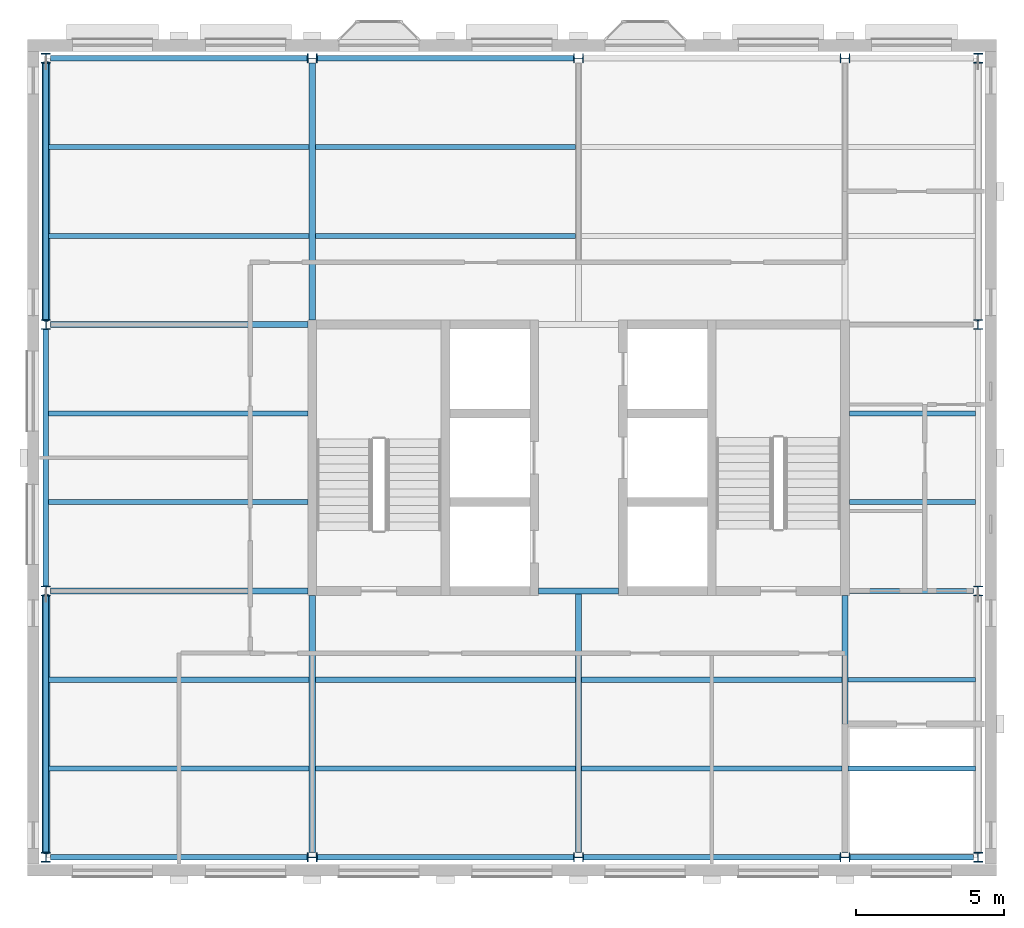
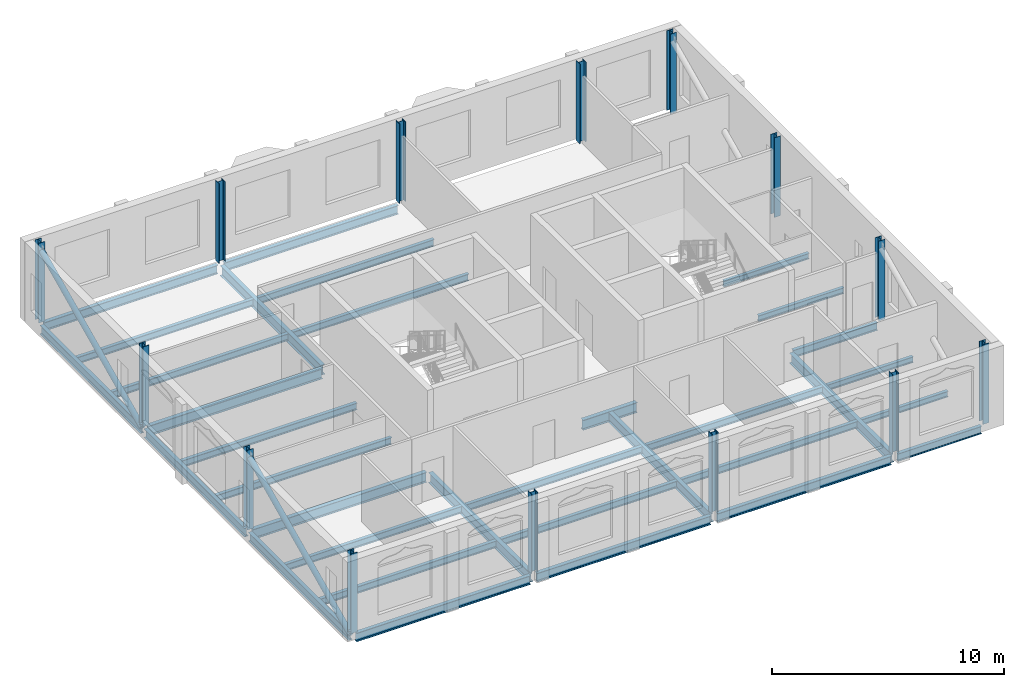
# One storey, part 1 of 9: 33 beams, 14 columns, 2 members.
"""IFC4 building model written with IfcOpenShell, lengths in metres."""

from ifc_helpers import new_model, si_unit, direction, frame, origin, origin_2d, place, context, subcontext, project, spatial, hollow_circle, i_section, extrude, material, material_profile, profile_set, type_object, element, save


model = new_model("IFC4")

# Units and contexts
model_context = context("Model", 3, precision=1e-05, world=origin(), true_north=direction((0.0, 1.0)))
body_context = subcontext(model_context, "Body", "Model", "MODEL_VIEW")
ifc_project = project(units=[si_unit("LENGTHUNIT", "METRE"), si_unit("AREAUNIT", "SQUARE_METRE"), si_unit("VOLUMEUNIT", "CUBIC_METRE"), si_unit("PLANEANGLEUNIT", "RADIAN"), si_unit("MASSUNIT", "GRAM", prefix="KILO")], contexts=[model_context])

# Site, building, storey
site_placement = place(None, origin())
site = spatial("IfcSite", under=ifc_project, at=site_placement, CompositionType="ELEMENT")
building_placement = place(site_placement, origin())
building = spatial("IfcBuilding", under=site, at=building_placement, Name="Hortulan Conservatory and Botanical Research Centre", CompositionType="ELEMENT")
storey_placement = place(building_placement, frame((0.0, 0.0, 40.199951171875)))
storey = spatial("IfcBuildingStorey", under=building, at=storey_placement, Name="L09", CompositionType="ELEMENT", Elevation=40.199951171875)

# Columns
ifc_material_1 = material(Name="Steel Grade 300PLUS (AS/NZS 3679.1, 280 MPa minimum yield)", Category="steel")
ifc_material_profile_1 = material_profile(ifc_material_1, i_section(OverallWidth=0.31103515625, OverallDepth=0.326904296875, WebThickness=0.015625, FlangeThickness=0.02490234375, FilletRadius=0.0166015625, at=origin_2d()), Name="310UC158")
ifc_profile_set_1 = profile_set([ifc_material_profile_1], Name="Steel Grade 300PLUS (AS/NZS 3679.1, 280 MPa minimum yield)")
column_type = type_object("IfcColumnType", Name="Tower Column 310UC158", PredefinedType="COLUMN", material=ifc_profile_set_1)
for number, where, z_axis, x_axis, name in (
    (1, (0.0, 0.0, 0.0), (0.0, 0.0, 1.0), (1.0, 0.0, 0.0), "310UC158 column"),
    (2, (0.0, 9.0, 0.0), (0.0, 0.0, 1.0), (1.0, 0.0, 0.0), "310UC158 column"),
    (3, (0.0, 18.0, 0.0), (0.0, 0.0, 1.0), (1.0, 0.0, 0.0), "310UC158 column"),
    (4, (0.0, 27.0, 0.0), (0.0, 0.0, 1.0), (1.0, 0.0, 0.0), "310UC158 column"),
    (5, (9.0, 0.0, 0.0), (0.0, 0.0, 1.0), (0.0, 1.0, 0.0), "310UC158 column"),
    (6, (9.0, 27.0, 0.0), (0.0, 0.0, 1.0), (0.0, 1.0, 0.0), "310UC158 column"),
    (7, (18.0, 0.0, 0.0), (0.0, 0.0, 1.0), (0.0, 1.0, 0.0), "310UC158 column"),
    (8, (18.0, 27.0, 0.0), (0.0, 0.0, 1.0), (0.0, 1.0, 0.0), "310UC158 column"),
    (9, (27.0, 0.0, 0.0), (0.0, 0.0, 1.0), (0.0, 1.0, 0.0), "310UC158 column"),
    (10, (27.0, 27.0, 0.0), (0.0, 0.0, 1.0), (0.0, 1.0, 0.0), "310UC158 column"),
    (11, (31.5, 0.0, 0.0), (0.0, 0.0, 1.0), (1.0, 0.0, 0.0), "310UC158 column"),
    (12, (31.5, 9.0, 0.0), (0.0, 0.0, 1.0), (1.0, 0.0, 0.0), "310UC158 column"),
    (13, (31.5, 18.0, 0.0), (0.0, 0.0, 1.0), (1.0, 0.0, 0.0), "310UC158 column"),
    (14, (31.5, 27.0, 0.0), (0.0, 0.0, 1.0), (1.0, 0.0, 0.0), "310UC158 column"),
):
    element("IfcColumn", number, at=place(storey_placement, frame(where, z_axis=z_axis, x_axis=x_axis)), inside=storey, type_object=column_type, Name=name, PredefinedType="COLUMN", context=body_context, shape_type="SweptSolid", body=[
        extrude(i_section(OverallWidth=0.31103515625, OverallDepth=0.326904296875, WebThickness=0.015625, FlangeThickness=0.02490234375, FilletRadius=0.0166015625, at=origin_2d()), origin(), (0.0, 0.0, 1.0), 4.199951171875),
    ])

# Members
ifc_material_2 = material(Name="Steel Grade C350L0 (350 MPa, AS/NZS 1163)", Category="steel")
ifc_material_profile_2 = material_profile(ifc_material_2, hollow_circle(Radius=0.136474609375, WallThickness=0.00927734375, at=origin_2d()), Name="273.1x9.3CHS")
ifc_profile_set_2 = profile_set([ifc_material_profile_2], Name="Steel Grade C350L0 (350 MPa, AS/NZS 1163)")
member_type = type_object("IfcMemberType", Name="Brace 273.1x9.3CHS", PredefinedType="BRACE", material=ifc_profile_set_2)
for number, where, z_axis, x_axis, name in (
    (15, (0.0, 0.16357421875, -0.28369140625), (0.0, 0.906181836611, 0.422888258286), (-1.0, 0.0, 0.0), "273.1x9.3CHS brace"),
    (16, (0.0, 18.16357421875, -0.28369140625), (0.0, 0.906181836611, 0.422888258286), (-1.0, 0.0, 0.0), "273.1x9.3CHS brace"),
):
    element("IfcMember", number, at=place(storey_placement, frame(where, z_axis=z_axis, x_axis=x_axis)), inside=storey, type_object=member_type, Name=name, PredefinedType="BRACE", context=body_context, shape_type="SweptSolid", body=[
        extrude(hollow_circle(Radius=0.136474609375, WallThickness=0.00927734375, at=origin_2d()), origin(), (0.0, 0.0, 1.0), 9.57080078125),
    ])

# Beams
ifc_material_profile_3 = material_profile(ifc_material_1, i_section(OverallWidth=0.177978515625, OverallDepth=0.403076171875, WebThickness=0.007568359375, FlangeThickness=0.010986328125, FilletRadius=0.011474609375, at=origin_2d()), Name="410UB53.7")
ifc_profile_set_3 = profile_set([ifc_material_profile_3], Name="Steel Grade 300PLUS (AS/NZS 3679.1, 280 MPa minimum yield)")
beam_type_1 = type_object("IfcBeamType", Name="Primary Beam 410UB53.7", PredefinedType="BEAM", material=ifc_profile_set_3)
beam_1_placement = place(storey_placement, frame((27.16357421875, 0.0, -0.33154296875), z_axis=(1.0, 0.0, 0.0), x_axis=(0.0, 1.0, 0.0)))
element("IfcBeam", 17, at=beam_1_placement, inside=storey, type_object=beam_type_1, Name="410UB53.7 girder", PredefinedType="BEAM", context=body_context, shape_type="SweptSolid", body=[
    extrude(i_section(OverallWidth=0.177978515625, OverallDepth=0.403076171875, WebThickness=0.007568359375, FlangeThickness=0.010986328125, FilletRadius=0.011474609375, at=origin_2d()), origin(), (0.0, 0.0, 1.0), 4.180908203125),
])
beam_2_placement = place(storey_placement, frame((27.14990234375, 9.0, -0.33154296875), z_axis=(1.0, 0.0, 0.0), x_axis=(0.0, 1.0, 0.0)))
element("IfcBeam", 18, at=beam_2_placement, inside=storey, type_object=beam_type_1, Name="410UB53.7 girder", PredefinedType="BEAM", context=body_context, shape_type="SweptSolid", body=[
    extrude(i_section(OverallWidth=0.177978515625, OverallDepth=0.403076171875, WebThickness=0.007568359375, FlangeThickness=0.010986328125, FilletRadius=0.011474609375, at=origin_2d()), origin(), (0.0, 0.0, 1.0), 4.194580078125),
])
ifc_material_profile_4 = material_profile(ifc_material_1, i_section(OverallWidth=0.19091796875, OverallDepth=0.4599609375, WebThickness=0.010009765625, FlangeThickness=0.01611328125, FilletRadius=0.011474609375, at=origin_2d()), Name="460UB82.1")
ifc_profile_set_4 = profile_set([ifc_material_profile_4], Name="Steel Grade 300PLUS (AS/NZS 3679.1, 280 MPa minimum yield)")
beam_type_2 = type_object("IfcBeamType", Name="Primary Beam 460UB82.1", PredefinedType="BEAM", material=ifc_profile_set_4)
beam_3_placement = place(storey_placement, frame((0.0, 0.16357421875, -0.35986328125), z_axis=(0.0, 1.0, 0.0), x_axis=(-1.0, 0.0, 0.0)))
element("IfcBeam", 19, at=beam_3_placement, inside=storey, type_object=beam_type_2, Name="460UB82.1 girder", PredefinedType="BEAM", context=body_context, shape_type="SweptSolid", body=[
    extrude(i_section(OverallWidth=0.19091796875, OverallDepth=0.4599609375, WebThickness=0.010009765625, FlangeThickness=0.01611328125, FilletRadius=0.011474609375, at=origin_2d()), origin(), (0.0, 0.0, 1.0), 8.6728515625),
])
beam_4_placement = place(storey_placement, frame((0.155517578125, 0.0, -0.35986328125), z_axis=(1.0, 0.0, 0.0), x_axis=(0.0, 1.0, 0.0)))
element("IfcBeam", 20, at=beam_4_placement, inside=storey, type_object=beam_type_2, Name="460UB82.1 girder", PredefinedType="BEAM", context=body_context, shape_type="SweptSolid", body=[
    extrude(i_section(OverallWidth=0.19091796875, OverallDepth=0.4599609375, WebThickness=0.010009765625, FlangeThickness=0.01611328125, FilletRadius=0.011474609375, at=origin_2d()), origin(), (0.0, 0.0, 1.0), 8.680908203125),
])
for number, where, z_axis, x_axis, name in (
    (21, (0.0, 9.16357421875, -0.35986328125), (0.0, 1.0, 0.0), (-1.0, 0.0, 0.0), "460UB82.1 girder"),
    (22, (0.0, 18.16357421875, -0.35986328125), (0.0, 1.0, 0.0), (-1.0, 0.0, 0.0), "460UB82.1 girder"),
):
    element("IfcBeam", number, at=place(storey_placement, frame(where, z_axis=z_axis, x_axis=x_axis)), inside=storey, type_object=beam_type_2, Name=name, PredefinedType="BEAM", context=body_context, shape_type="SweptSolid", body=[
        extrude(i_section(OverallWidth=0.19091796875, OverallDepth=0.4599609375, WebThickness=0.010009765625, FlangeThickness=0.01611328125, FilletRadius=0.011474609375, at=origin_2d()), origin(), (0.0, 0.0, 1.0), 8.6728515625),
    ])
beam_5_placement = place(storey_placement, frame((0.155517578125, 27.0, -0.35986328125), z_axis=(1.0, 0.0, 0.0), x_axis=(0.0, 1.0, 0.0)))
element("IfcBeam", 23, at=beam_5_placement, inside=storey, type_object=beam_type_2, Name="460UB82.1 girder", PredefinedType="BEAM", context=body_context, shape_type="SweptSolid", body=[
    extrude(i_section(OverallWidth=0.19091796875, OverallDepth=0.4599609375, WebThickness=0.010009765625, FlangeThickness=0.01611328125, FilletRadius=0.011474609375, at=origin_2d()), origin(), (0.0, 0.0, 1.0), 8.680908203125),
])
for number, where, z_axis, x_axis, name in (
    (24, (9.16357421875, 0.0, -0.35986328125), (1.0, 0.0, 0.0), (0.0, 1.0, 0.0), "460UB82.1 girder"),
    (25, (9.16357421875, 27.0, -0.35986328125), (1.0, 0.0, 0.0), (0.0, 1.0, 0.0), "460UB82.1 girder"),
    (26, (18.16357421875, 0.0, -0.35986328125), (1.0, 0.0, 0.0), (0.0, 1.0, 0.0), "460UB82.1 girder"),
):
    element("IfcBeam", number, at=place(storey_placement, frame(where, z_axis=z_axis, x_axis=x_axis)), inside=storey, type_object=beam_type_2, Name=name, PredefinedType="BEAM", context=body_context, shape_type="SweptSolid", body=[
        extrude(i_section(OverallWidth=0.19091796875, OverallDepth=0.4599609375, WebThickness=0.010009765625, FlangeThickness=0.01611328125, FilletRadius=0.011474609375, at=origin_2d()), origin(), (0.0, 0.0, 1.0), 8.6728515625),
    ])
ifc_material_profile_5 = material_profile(ifc_material_1, i_section(OverallWidth=0.208984375, OverallDepth=0.532958984375, WebThickness=0.01025390625, FlangeThickness=0.015625, FilletRadius=0.013916015625, at=origin_2d()), Name="530UB92.4")
ifc_profile_set_5 = profile_set([ifc_material_profile_5], Name="Steel Grade 300PLUS (AS/NZS 3679.1, 280 MPa minimum yield)")
beam_type_3 = type_object("IfcBeamType", Name="Primary Beam 530UB92.4", PredefinedType="BEAM", material=ifc_profile_set_5)
for number, where, z_axis, x_axis, name in (
    (27, (0.155517578125, 9.0, -0.396484375), (1.0, 0.0, 0.0), (0.0, 1.0, 0.0), "530UB92.4 girder"),
    (28, (0.155517578125, 18.0, -0.396484375), (1.0, 0.0, 0.0), (0.0, 1.0, 0.0), "530UB92.4 girder"),
    (29, (9.0, 0.155517578125, -0.396484375), (0.0, 1.0, 0.0), (-1.0, 0.0, 0.0), "530UB92.4 girder"),
    (30, (9.0, 18.14990234375, -0.396484375), (0.0, 1.0, 0.0), (-1.0, 0.0, 0.0), "530UB92.4 girder"),
):
    element("IfcBeam", number, at=place(storey_placement, frame(where, z_axis=z_axis, x_axis=x_axis)), inside=storey, type_object=beam_type_3, Name=name, PredefinedType="BEAM", context=body_context, shape_type="SweptSolid", body=[
        extrude(i_section(OverallWidth=0.208984375, OverallDepth=0.532958984375, WebThickness=0.01025390625, FlangeThickness=0.015625, FilletRadius=0.013916015625, at=origin_2d()), origin(), (0.0, 0.0, 1.0), 8.694580078125),
    ])
beam_6_placement = place(storey_placement, frame((16.64990234375, 9.0, -0.396484375), z_axis=(1.0, 0.0, 0.0), x_axis=(0.0, 1.0, 0.0)))
element("IfcBeam", 31, at=beam_6_placement, inside=storey, type_object=beam_type_3, Name="530UB92.4 girder", PredefinedType="BEAM", context=body_context, shape_type="SweptSolid", body=[
    extrude(i_section(OverallWidth=0.208984375, OverallDepth=0.532958984375, WebThickness=0.01025390625, FlangeThickness=0.015625, FilletRadius=0.013916015625, at=origin_2d()), origin(), (0.0, 0.0, 1.0), 2.7001953125),
])
beam_7_placement = place(storey_placement, frame((18.0, 0.155517578125, -0.396484375), z_axis=(0.0, 1.0, 0.0), x_axis=(-1.0, 0.0, 0.0)))
element("IfcBeam", 32, at=beam_7_placement, inside=storey, type_object=beam_type_3, Name="530UB92.4 girder", PredefinedType="BEAM", context=body_context, shape_type="SweptSolid", body=[
    extrude(i_section(OverallWidth=0.208984375, OverallDepth=0.532958984375, WebThickness=0.01025390625, FlangeThickness=0.015625, FilletRadius=0.013916015625, at=origin_2d()), origin(), (0.0, 0.0, 1.0), 8.844482421875),
])
beam_8_placement = place(storey_placement, frame((27.0, 0.155517578125, -0.396484375), z_axis=(0.0, 1.0, 0.0), x_axis=(-1.0, 0.0, 0.0)))
element("IfcBeam", 33, at=beam_8_placement, inside=storey, type_object=beam_type_3, Name="530UB92.4 girder", PredefinedType="BEAM", context=body_context, shape_type="SweptSolid", body=[
    extrude(i_section(OverallWidth=0.208984375, OverallDepth=0.532958984375, WebThickness=0.01025390625, FlangeThickness=0.015625, FilletRadius=0.013916015625, at=origin_2d()), origin(), (0.0, 0.0, 1.0), 8.694580078125),
])
ifc_material_profile_6 = material_profile(ifc_material_1, i_section(OverallWidth=0.1650390625, OverallDepth=0.303955078125, WebThickness=0.006103515625, FlangeThickness=0.01025390625, FilletRadius=0.011474609375, at=origin_2d()), Name="310UB40.4")
ifc_profile_set_6 = profile_set([ifc_material_profile_6], Name="Steel Grade 300PLUS (AS/NZS 3679.1, 280 MPa minimum yield)")
beam_type_4 = type_object("IfcBeamType", Name="Secondary Beam 310UB40.4", PredefinedType="JOIST", material=ifc_profile_set_6)
for number, where, z_axis, x_axis, name in (
    (34, (27.1044921875, 3.0, -0.281982421875), (1.0, 0.0, 0.0), (0.0, 1.0, 0.0), "310UB40.4 secondary beam"),
    (35, (27.1044921875, 6.0, -0.281982421875), (1.0, 0.0, 0.0), (0.0, 1.0, 0.0), "310UB40.4 secondary beam"),
):
    element("IfcBeam", number, at=place(storey_placement, frame(where, z_axis=z_axis, x_axis=x_axis)), inside=storey, type_object=beam_type_4, Name=name, PredefinedType="JOIST", context=body_context, shape_type="SweptSolid", body=[
        extrude(i_section(OverallWidth=0.1650390625, OverallDepth=0.303955078125, WebThickness=0.006103515625, FlangeThickness=0.01025390625, FilletRadius=0.011474609375, at=origin_2d()), origin(), (0.0, 0.0, 1.0), 4.300048828125),
    ])
for number, where, z_axis, x_axis, name in (
    (36, (27.14990234375, 12.0, -0.281982421875), (1.0, 0.0, 0.0), (0.0, 1.0, 0.0), "310UB40.4 secondary beam"),
    (37, (27.14990234375, 15.0, -0.281982421875), (1.0, 0.0, 0.0), (0.0, 1.0, 0.0), "310UB40.4 secondary beam"),
):
    element("IfcBeam", number, at=place(storey_placement, frame(where, z_axis=z_axis, x_axis=x_axis)), inside=storey, type_object=beam_type_4, Name=name, PredefinedType="JOIST", context=body_context, shape_type="SweptSolid", body=[
        extrude(i_section(OverallWidth=0.1650390625, OverallDepth=0.303955078125, WebThickness=0.006103515625, FlangeThickness=0.01025390625, FilletRadius=0.011474609375, at=origin_2d()), origin(), (0.0, 0.0, 1.0), 4.254638671875),
    ])
ifc_material_profile_7 = material_profile(ifc_material_1, i_section(OverallWidth=0.172119140625, OverallDepth=0.35888671875, WebThickness=0.008056640625, FlangeThickness=0.012939453125, FilletRadius=0.011474609375, at=origin_2d()), Name="360UB56.7")
ifc_profile_set_7 = profile_set([ifc_material_profile_7], Name="Steel Grade 300PLUS (AS/NZS 3679.1, 280 MPa minimum yield)")
beam_type_5 = type_object("IfcBeamType", Name="Secondary Beam 360UB56.7", PredefinedType="JOIST", material=ifc_profile_set_7)
for number, where, z_axis, x_axis, name in (
    (38, (0.095458984375, 3.0, -0.3095703125), (1.0, 0.0, 0.0), (0.0, 1.0, 0.0), "360UB56.7 secondary beam"),
    (39, (0.095458984375, 6.0, -0.3095703125), (1.0, 0.0, 0.0), (0.0, 1.0, 0.0), "360UB56.7 secondary beam"),
):
    element("IfcBeam", number, at=place(storey_placement, frame(where, z_axis=z_axis, x_axis=x_axis)), inside=storey, type_object=beam_type_5, Name=name, PredefinedType="JOIST", context=body_context, shape_type="SweptSolid", body=[
        extrude(i_section(OverallWidth=0.172119140625, OverallDepth=0.35888671875, WebThickness=0.008056640625, FlangeThickness=0.012939453125, FilletRadius=0.011474609375, at=origin_2d()), origin(), (0.0, 0.0, 1.0), 8.800048828125),
    ])
for number, where, z_axis, x_axis, name in (
    (40, (0.095458984375, 12.0, -0.3095703125), (1.0, 0.0, 0.0), (0.0, 1.0, 0.0), "360UB56.7 secondary beam"),
    (41, (0.095458984375, 15.0, -0.3095703125), (1.0, 0.0, 0.0), (0.0, 1.0, 0.0), "360UB56.7 secondary beam"),
):
    element("IfcBeam", number, at=place(storey_placement, frame(where, z_axis=z_axis, x_axis=x_axis)), inside=storey, type_object=beam_type_5, Name=name, PredefinedType="JOIST", context=body_context, shape_type="SweptSolid", body=[
        extrude(i_section(OverallWidth=0.172119140625, OverallDepth=0.35888671875, WebThickness=0.008056640625, FlangeThickness=0.012939453125, FilletRadius=0.011474609375, at=origin_2d()), origin(), (0.0, 0.0, 1.0), 8.754638671875),
    ])
for number, where, z_axis, x_axis, name in (
    (42, (0.095458984375, 21.0, -0.3095703125), (1.0, 0.0, 0.0), (0.0, 1.0, 0.0), "360UB56.7 secondary beam"),
    (43, (0.095458984375, 24.0, -0.3095703125), (1.0, 0.0, 0.0), (0.0, 1.0, 0.0), "360UB56.7 secondary beam"),
):
    element("IfcBeam", number, at=place(storey_placement, frame(where, z_axis=z_axis, x_axis=x_axis)), inside=storey, type_object=beam_type_5, Name=name, PredefinedType="JOIST", context=body_context, shape_type="SweptSolid", body=[
        extrude(i_section(OverallWidth=0.172119140625, OverallDepth=0.35888671875, WebThickness=0.008056640625, FlangeThickness=0.012939453125, FilletRadius=0.011474609375, at=origin_2d()), origin(), (0.0, 0.0, 1.0), 8.800048828125),
    ])
for number, where, z_axis, x_axis, name in (
    (44, (9.1044921875, 3.0, -0.3095703125), (1.0, 0.0, 0.0), (0.0, 1.0, 0.0), "360UB56.7 secondary beam"),
    (45, (9.1044921875, 6.0, -0.3095703125), (1.0, 0.0, 0.0), (0.0, 1.0, 0.0), "360UB56.7 secondary beam"),
    (46, (9.1044921875, 21.0, -0.3095703125), (1.0, 0.0, 0.0), (0.0, 1.0, 0.0), "360UB56.7 secondary beam"),
    (47, (9.1044921875, 24.0, -0.3095703125), (1.0, 0.0, 0.0), (0.0, 1.0, 0.0), "360UB56.7 secondary beam"),
    (48, (18.1044921875, 3.0, -0.3095703125), (1.0, 0.0, 0.0), (0.0, 1.0, 0.0), "360UB56.7 secondary beam"),
    (49, (18.1044921875, 6.0, -0.3095703125), (1.0, 0.0, 0.0), (0.0, 1.0, 0.0), "360UB56.7 secondary beam"),
):
    element("IfcBeam", number, at=place(storey_placement, frame(where, z_axis=z_axis, x_axis=x_axis)), inside=storey, type_object=beam_type_5, Name=name, PredefinedType="JOIST", context=body_context, shape_type="SweptSolid", body=[
        extrude(i_section(OverallWidth=0.172119140625, OverallDepth=0.35888671875, WebThickness=0.008056640625, FlangeThickness=0.012939453125, FilletRadius=0.011474609375, at=origin_2d()), origin(), (0.0, 0.0, 1.0), 8.791015625),
    ])

save(model, "model.ifc")
